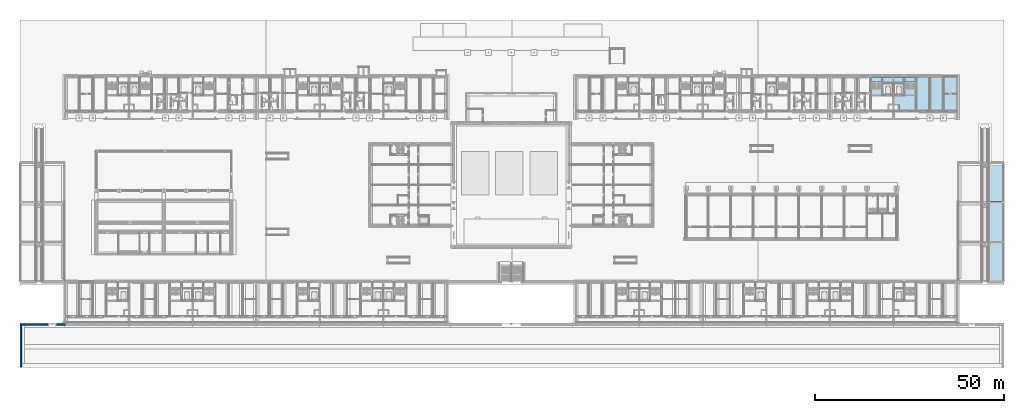
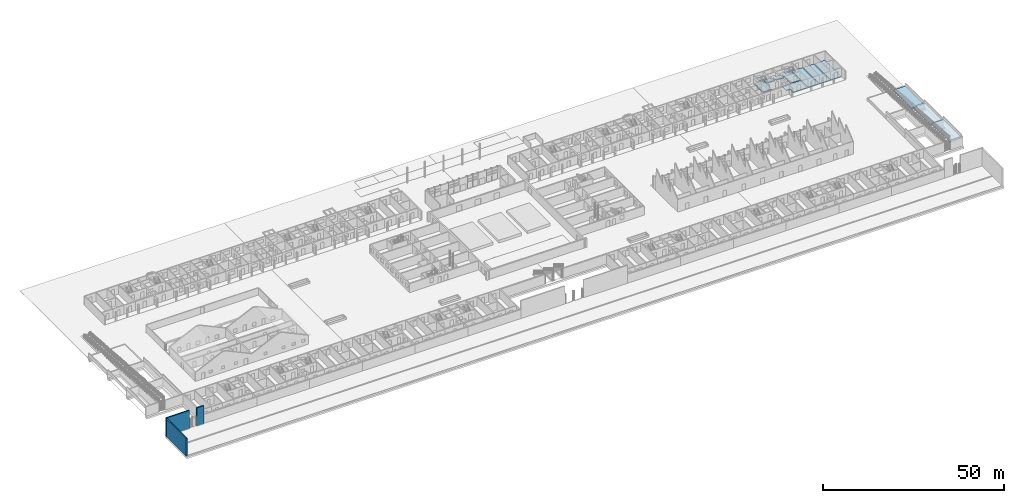
# One storey, part 36 of 112: 13 slabs, 3 walls, 2 elements without a shape of their own.
"""IFC4 building model written with IfcOpenShell, lengths in metres."""

from ifc_helpers import new_model, si_unit, direction, frame, frame_2d, origin, place, context, subcontext, project, spatial, polyline, rectangle, outline, extrude, material, layer, layer_set, type_object, element, aggregate, save


model = new_model("IFC4")

# Units and contexts
model_context = context("Model", 3, precision=1e-05, world=origin(), true_north=direction((0.0, 1.0)))
body_context = subcontext(model_context, "Body", "Model", "MODEL_VIEW")
ifc_project = project(units=[si_unit("LENGTHUNIT", "METRE"), si_unit("AREAUNIT", "SQUARE_METRE"), si_unit("VOLUMEUNIT", "CUBIC_METRE"), si_unit("PLANEANGLEUNIT", "RADIAN"), si_unit("MASSUNIT", "GRAM", prefix="KILO")], contexts=[model_context])

# Site, building, storey
site_placement = place(None, origin())
site = spatial("IfcSite", under=ifc_project, at=site_placement, CompositionType="ELEMENT")
building_placement = place(site_placement, origin())
building = spatial("IfcBuilding", under=site, at=building_placement, Name="Ridgestep Commons", CompositionType="ELEMENT")
storey_placement = place(building_placement, origin())
storey = spatial("IfcBuildingStorey", under=building, at=storey_placement, Name="L00", CompositionType="ELEMENT", Elevation=0.0)

# Slabs
ifc_material_1 = material(Name="Concrete C30/37", Category="concrete")
ifc_layer_1 = layer(ifc_material_1, 0.14990234375)
ifc_layer_set_1 = layer_set([ifc_layer_1], Name="Community terrace slab 150")
slab_type_1 = type_object("IfcSlabType", Name="Community terrace slab 150", PredefinedType="BASESLAB", material=ifc_layer_set_1)
slab_1_placement = place(storey_placement, frame((0.0, 0.0, 0.60009765625)))
element("IfcSlab", 1, at=slab_1_placement, inside=storey, type_object=slab_type_1, Name="Bank terrace paving", PredefinedType="BASESLAB", context=body_context, shape_type="SweptSolid", body=[
    extrude(outline(polyline([(256.050048828125, 44.0), (259.998046875, 44.0), (259.998046875, 54.199951171875), (256.050048828125, 54.199951171875), (256.050048828125, 44.0)])), origin(), (0.0, 0.0, 1.0), 0.14990234375),
])
slab_2_placement = place(storey_placement, frame((0.0, 0.0, 1.35009765625)))
element("IfcSlab", 2, at=slab_2_placement, inside=storey, type_object=slab_type_1, Name="Bank terrace paving", PredefinedType="BASESLAB", context=body_context, shape_type="SweptSolid", body=[
    extrude(outline(polyline([(256.050048828125, 33.5), (259.998046875, 33.5), (259.998046875, 43.699951171875), (256.050048828125, 43.699951171875), (256.050048828125, 33.5)])), origin(), (0.0, 0.0, 1.0), 0.14990234375),
])
slab_3_placement = place(storey_placement, frame((0.0, 0.0, 2.10009765625)))
element("IfcSlab", 3, at=slab_3_placement, inside=storey, type_object=slab_type_1, Name="Bank terrace paving", PredefinedType="BASESLAB", context=body_context, shape_type="SweptSolid", body=[
    extrude(outline(polyline([(256.050048828125, 23.0), (259.998046875, 23.0), (259.998046875, 33.199951171875), (256.050048828125, 33.199951171875), (256.050048828125, 23.0)])), origin(), (0.0, 0.0, 1.0), 0.14990234375),
])
ifc_material_2 = material(Name="Concrete C30/37", Category="concrete")
ifc_layer_2 = layer(ifc_material_2, 0.25)
ifc_layer_set_2 = layer_set([ifc_layer_2], Name="Slab on grade 250")
slab_type_2 = type_object("IfcSlabType", Name="Slab on grade 250", PredefinedType="BASESLAB", material=ifc_layer_set_2)
slab_4_placement = place(storey_placement, frame((0.0, 0.0, -0.25)))
element("IfcSlab", 4, at=slab_4_placement, inside=storey, type_object=slab_type_2, Name="Slab on grade C5C", PredefinedType="BASESLAB", context=body_context, shape_type="SweptSolid", body=[
    extrude(outline(polyline([(227.824951171875, 77.0), (224.925048828125, 77.0), (224.925048828125, 72.199951171875), (227.824951171875, 72.199951171875), (227.824951171875, 77.0)])), origin(), (0.0, 0.0, 1.0), 0.25),
])
slab_5_placement = place(storey_placement, frame((0.0, 0.0, -0.25)))
element("IfcSlab", 5, at=slab_5_placement, inside=storey, type_object=slab_type_2, Name="Slab on grade C5C", PredefinedType="BASESLAB", context=body_context, shape_type="SweptSolid", body=[
    extrude(outline(polyline([(230.64990234375, 75.39990234375), (230.64990234375, 77.0), (228.02490234375, 77.0), (228.02490234375, 75.39990234375), (230.64990234375, 75.39990234375)])), origin(), (0.0, 0.0, 1.0), 0.25),
])
slab_6_placement = place(storey_placement, frame((0.0, 0.0, -0.25)))
element("IfcSlab", 6, at=slab_6_placement, inside=storey, type_object=slab_type_2, Name="Slab on grade C6C", PredefinedType="BASESLAB", context=body_context, shape_type="SweptSolid", body=[
    extrude(outline(polyline([(232.199951171875, 68.0), (236.675048828125, 68.0), (236.675048828125, 72.0), (230.949951171875, 72.0), (230.949951171875, 69.719970703125), (232.080078125, 69.719970703125), (232.199951171875, 69.719970703125), (232.199951171875, 68.0)])), origin(), (0.0, 0.0, 1.0), 0.25),
])
slab_7_placement = place(storey_placement, frame((0.0, 0.0, -0.25)))
element("IfcSlab", 7, at=slab_7_placement, inside=storey, type_object=slab_type_2, Name="Slab on grade C6C", PredefinedType="BASESLAB", context=body_context, shape_type="SweptSolid", body=[
    extrude(outline(polyline([(236.675048828125, 72.199951171875), (236.675048828125, 77.0), (233.77490234375, 77.0), (233.77490234375, 72.199951171875), (236.675048828125, 72.199951171875)])), origin(), (0.0, 0.0, 1.0), 0.25),
])
slab_8_placement = place(storey_placement, frame((0.0, 0.0, -0.25)))
element("IfcSlab", 8, at=slab_8_placement, inside=storey, type_object=slab_type_2, Name="Slab on grade C6C", PredefinedType="BASESLAB", context=body_context, shape_type="SweptSolid", body=[
    extrude(outline(polyline([(233.574951171875, 77.0), (230.949951171875, 77.0), (230.949951171875, 75.39990234375), (233.574951171875, 75.39990234375), (233.574951171875, 77.0)])), origin(), (0.0, 0.0, 1.0), 0.25),
])
slab_9_placement = place(storey_placement, frame((0.0, 0.0, -0.25)))
element("IfcSlab", 9, at=slab_9_placement, inside=storey, type_object=slab_type_2, Name="Slab on grade C6T3", PredefinedType="BASESLAB", context=body_context, shape_type="SweptSolid", body=[
    extrude(outline(polyline([(240.27490234375, 68.0), (240.27490234375, 77.0), (236.925048828125, 77.0), (236.925048828125, 68.0), (240.27490234375, 68.0)])), origin(), (0.0, 0.0, 1.0), 0.25),
])
slab_10_placement = place(storey_placement, frame((0.0, 0.0, -0.25)))
element("IfcSlab", 10, at=slab_10_placement, inside=storey, type_object=slab_type_2, Name="Slab on grade C6T2", PredefinedType="BASESLAB", context=body_context, shape_type="SweptSolid", body=[
    extrude(outline(polyline([(243.89990234375, 68.0), (243.89990234375, 77.0), (240.52490234375, 77.0), (240.52490234375, 68.0), (243.89990234375, 68.0)])), origin(), (0.0, 0.0, 1.0), 0.25),
])
slab_11_placement = place(storey_placement, frame((0.0, 0.0, -0.25)))
element("IfcSlab", 11, at=slab_11_placement, inside=storey, type_object=slab_type_2, Name="Slab on grade C6T1", PredefinedType="BASESLAB", context=body_context, shape_type="SweptSolid", body=[
    extrude(outline(polyline([(247.449951171875, 68.0), (247.449951171875, 77.0), (244.10009765625, 77.0), (244.10009765625, 68.0), (247.449951171875, 68.0)])), origin(), (0.0, 0.0, 1.0), 0.25),
])

# Stair, slab
ifc_material_3 = material(Name="Precast concrete C40/50", Category="concrete")
stair_type = type_object("IfcStairType", Name="Escape stair 1400", PredefinedType="HALF_TURN_STAIR", material=ifc_material_3)
stair_1_placement = place(storey_placement, origin())
stair_1 = element("IfcStair", 12, at=stair_1_placement, inside=storey, type_object=stair_type, Name="L00 Escape stair C5C", PredefinedType="HALF_TURN_STAIR")
ifc_material_4 = material(Name="Precast concrete C40/50", Category="concrete")
ifc_layer_3 = layer(ifc_material_4, 0.199951171875)
ifc_layer_set_3 = layer_set([ifc_layer_3], Name="Stair landing 200")
slab_type_3 = type_object("IfcSlabType", Name="Stair landing 200", PredefinedType="LANDING", material=ifc_layer_set_3)
slab_12_placement = place(storey_placement, frame((0.0, 0.0, 1.300048828125)))
slab_12 = element("IfcSlab", 13, at=slab_12_placement, type_object=slab_type_3, Name="C5C landing 1", PredefinedType="LANDING", context=body_context, shape_type="SweptSolid", body=[
    extrude(outline(polyline([(227.824951171875, 75.56005859375), (227.824951171875, 77.0), (224.925048828125, 77.0), (224.925048828125, 75.56005859375), (227.824951171875, 75.56005859375)])), origin(), (0.0, 0.0, 1.0), 0.199951171875),
])
aggregate(stair_1, [slab_12])

stair_2_placement = place(storey_placement, origin())
stair_2 = element("IfcStair", 14, at=stair_2_placement, inside=storey, type_object=stair_type, Name="L00 Escape stair C6C", PredefinedType="HALF_TURN_STAIR")
slab_13_placement = place(storey_placement, frame((0.0, 0.0, 1.300048828125)))
slab_13 = element("IfcSlab", 15, at=slab_13_placement, type_object=slab_type_3, Name="C6C landing 1", PredefinedType="LANDING", context=body_context, shape_type="SweptSolid", body=[
    extrude(outline(polyline([(236.675048828125, 75.56005859375), (236.675048828125, 77.0), (233.77490234375, 77.0), (233.77490234375, 75.56005859375), (236.675048828125, 75.56005859375)])), origin(), (0.0, 0.0, 1.0), 0.199951171875),
])
aggregate(stair_2, [slab_13])

# Walls
ifc_material_5 = material(Name="Concrete C30/37", Category="concrete")
ifc_layer_4 = layer(ifc_material_5, 0.39990234375)
ifc_layer_set_4 = layer_set([ifc_layer_4], Name="Community retaining wall 400")
wall_type = type_object("IfcWallType", Name="Community retaining wall 400", PredefinedType="SOLIDWALL", material=ifc_layer_set_4)
wall_1_placement = place(storey_placement, frame((0.010009765625, 11.550048828125, -0.25), z_axis=(0.0, 0.0, 1.0), x_axis=(1.0, 0.0, 0.0)))
element("IfcWall", 16, at=wall_1_placement, inside=storey, type_object=wall_type, Name="Community retaining wall 400", PredefinedType="SOLIDWALL", context=body_context, shape_type="SweptSolid", body=[
    extrude(rectangle(XDim=7.2900390625, YDim=0.39990234375, at=frame_2d((3.64501953125, 0.0))), origin(), (0.0, 0.0, 1.0), 6.25),
])
wall_2_placement = place(storey_placement, frame((9.699951171875, 11.550048828125, -0.25), z_axis=(0.0, 0.0, 1.0), x_axis=(1.0, 0.0, 0.0)))
element("IfcWall", 17, at=wall_2_placement, inside=storey, type_object=wall_type, Name="Community retaining wall 400", PredefinedType="SOLIDWALL", context=body_context, shape_type="SweptSolid", body=[
    extrude(rectangle(XDim=2.300048828125, YDim=0.39990234375, at=frame_2d((1.14990234375, 0.0))), origin(), (0.0, 0.0, 1.0), 6.25),
])
wall_3_placement = place(storey_placement, frame((0.201904296875, 0.402099609375, -0.25), z_axis=(0.0, 0.0, 1.0), x_axis=(0.0, 1.0, 0.0)))
element("IfcWall", 18, at=wall_3_placement, inside=storey, type_object=wall_type, Name="South arcade end wall", PredefinedType="SOLIDWALL", context=body_context, shape_type="SweptSolid", body=[
    extrude(rectangle(XDim=10.947998046875, YDim=0.39990234375, at=frame_2d((5.47412109375, 0.0))), origin(), (0.0, 0.0, 1.0), 6.0),
])

save(model, "model.ifc")
